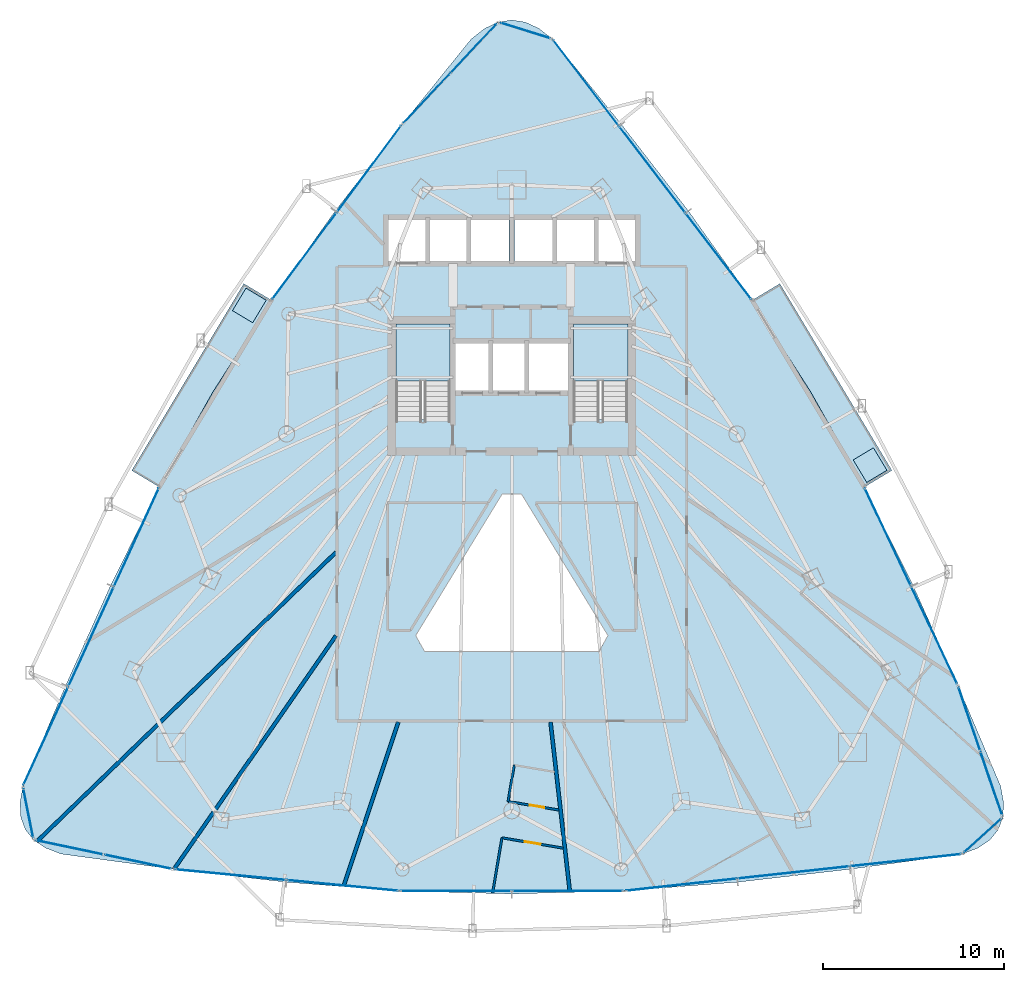
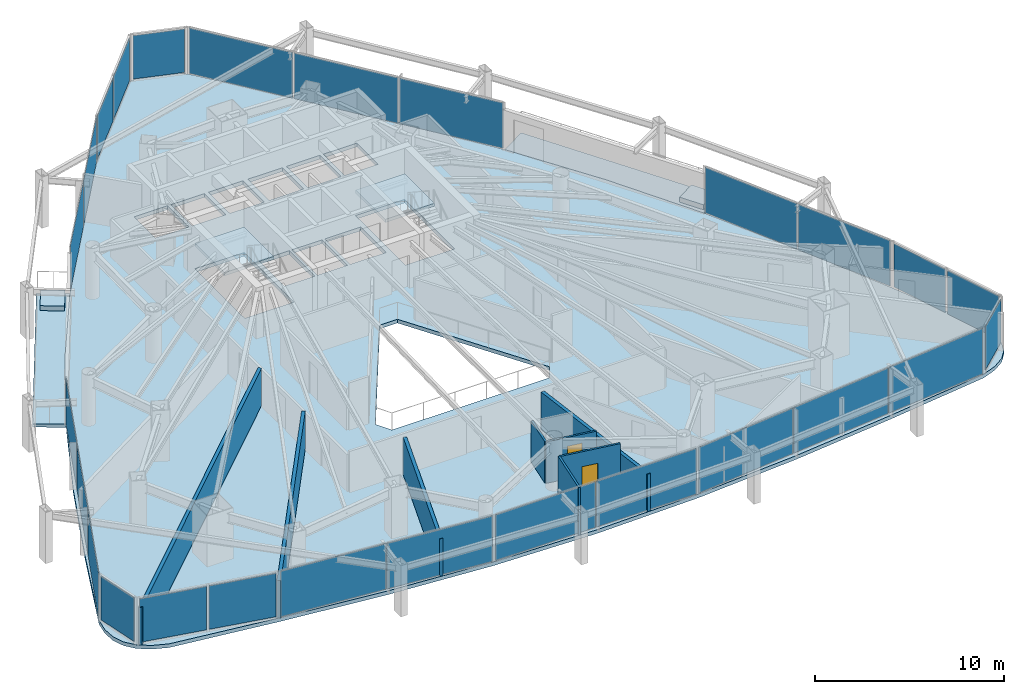
# One storey, part 27 of 33: 26 plates, 8 walls, 7 slabs, 2 doors, 2 openings, 15 elements without a shape of their own.
"""IFC4 building model written with IfcOpenShell, lengths in metres."""

from ifc_helpers import new_model, si_unit, direction, frame, frame_2d, origin, origin_2d, place, context, subcontext, project, spatial, polyline, rectangle, outline, extrude, material, layer, layer_set, type_object, element, fill, aggregate, save


model = new_model("IFC4")

# Units and contexts
model_context = context("Model", 3, precision=1e-05, world=origin(), true_north=direction((0.0, 1.0)))
body_context = subcontext(model_context, "Body", "Model", "MODEL_VIEW")
ifc_project = project(units=[si_unit("LENGTHUNIT", "METRE"), si_unit("AREAUNIT", "SQUARE_METRE"), si_unit("VOLUMEUNIT", "CUBIC_METRE"), si_unit("PLANEANGLEUNIT", "RADIAN"), si_unit("MASSUNIT", "GRAM", prefix="KILO")], contexts=[model_context])

# Site, building, storey
site_placement = place(None, origin())
site = spatial("IfcSite", under=ifc_project, at=site_placement, CompositionType="ELEMENT")
building_placement = place(site_placement, origin())
building = spatial("IfcBuilding", under=site, at=building_placement, Name="Orvanel Arch Residences", CompositionType="ELEMENT")
storey_placement = place(building_placement, frame((0.0, 0.0, 90.64990234375)))
storey = spatial("IfcBuildingStorey", under=building, at=storey_placement, Name="L25", CompositionType="ELEMENT", Elevation=90.64990234375)

# Curtain wall, plates
ifc_material_1 = material(Name="Bronze-anodised aluminium AA6063-T6", Category="aluminium")
ifc_layer_1 = layer(ifc_material_1, 0.179931640625)
ifc_layer_set_1 = layer_set([ifc_layer_1], Name="Bronze-anodised aluminium AA6063-T6")
curtain_wall_type_1 = type_object("IfcCurtainWallType", Name="CW2-LOW-SYS", PredefinedType="NOTDEFINED", material=ifc_layer_set_1)
curtain_wall_1_placement = place(storey_placement, origin())
curtain_wall_1 = element("IfcCurtainWall", 1, at=curtain_wall_1_placement, inside=storey, type_object=curtain_wall_type_1, Name="L25 CW2-LOW-SYS Unitised Curtain Wall", PredefinedType="NOTDEFINED")
ifc_material_2 = material(Name="Double-glazed solar-control low-E safety glass", Category="glass")
ifc_layer_2 = layer(ifc_material_2, 0.028076171875)
ifc_layer_set_2 = layer_set([ifc_layer_2], Name="Double-glazed solar-control low-E safety glass")
plate_type_1 = type_object("IfcPlateType", Name="PNL-GLZ-28", PredefinedType="CURTAIN_PANEL", material=ifc_layer_set_2)
plate_1_placement = place(storey_placement, frame((25.123291015625, 42.276123046875, 0.06005859375), z_axis=(0.0, 0.0, 1.0), x_axis=(-0.596527283959, -0.802592798057, 0.0)))
plate_1 = element("IfcPlate", 2, at=plate_1_placement, type_object=plate_type_1, Name="CW-S2 panel 1.1", PredefinedType="CURTAIN_PANEL", context=body_context, shape_type="SweptSolid", body=[
    extrude(rectangle(XDim=5.917236328125, YDim=0.028076171875, at=origin_2d()), origin(), (0.0, 0.0, 1.0), 2.93994140625),
])
plate_2_placement = place(storey_placement, frame((21.5517578125, 37.470703125, 0.06005859375), z_axis=(0.0, 0.0, 1.0), x_axis=(-0.596527283959, -0.802592798057, 0.0)))
plate_2 = element("IfcPlate", 3, at=plate_2_placement, type_object=plate_type_1, Name="CW-S2 panel 2.1", PredefinedType="CURTAIN_PANEL", context=body_context, shape_type="SweptSolid", body=[
    extrude(rectangle(XDim=5.917236328125, YDim=0.028076171875, at=origin_2d()), origin(), (0.0, 0.0, 1.0), 2.93994140625),
])
aggregate(curtain_wall_1, [plate_1, plate_2])

curtain_wall_2_placement = place(storey_placement, origin())
curtain_wall_2 = element("IfcCurtainWall", 4, at=curtain_wall_2_placement, inside=storey, type_object=curtain_wall_type_1, Name="L25 CW2-LOW-SYS Unitised Curtain Wall", PredefinedType="NOTDEFINED")
plate_3_placement = place(storey_placement, frame((12.27880859375, 21.931396484375, 0.06005859375), z_axis=(0.0, 0.0, 1.0), x_axis=(-0.414996360739, -0.909823071027, 0.0)))
plate_3 = element("IfcPlate", 5, at=plate_3_placement, type_object=plate_type_1, Name="CW-S2 panel 1.1", PredefinedType="CURTAIN_PANEL", context=body_context, shape_type="SweptSolid", body=[
    extrude(rectangle(XDim=5.932861328125, YDim=0.028076171875, at=origin_2d()), origin(), (0.0, 0.0, 1.0), 2.93994140625),
])
plate_4_placement = place(storey_placement, frame((9.780517578125, 16.4541015625, 0.06005859375), z_axis=(0.0, 0.0, 1.0), x_axis=(-0.414996360739, -0.909823071027, 0.0)))
plate_4 = element("IfcPlate", 6, at=plate_4_placement, type_object=plate_type_1, Name="CW-S2 panel 2.1", PredefinedType="CURTAIN_PANEL", context=body_context, shape_type="SweptSolid", body=[
    extrude(rectangle(XDim=5.9677734375, YDim=0.028076171875, at=origin_2d()), origin(), (0.0, 0.0, 1.0), 2.93994140625),
])
plate_5_placement = place(storey_placement, frame((7.281982421875, 10.9765625, 0.06005859375), z_axis=(0.0, 0.0, 1.0), x_axis=(-0.414996360739, -0.909823071027, 0.0)))
plate_5 = element("IfcPlate", 7, at=plate_5_placement, type_object=plate_type_1, Name="CW-S2 panel 3.1", PredefinedType="CURTAIN_PANEL", context=body_context, shape_type="SweptSolid", body=[
    extrude(rectangle(XDim=5.932861328125, YDim=0.028076171875, at=origin_2d()), origin(), (0.0, 0.0, 1.0), 2.93994140625),
])
aggregate(curtain_wall_2, [plate_3, plate_4, plate_5])

curtain_wall_3_placement = place(storey_placement, origin())
curtain_wall_3 = element("IfcCurtainWall", 8, at=curtain_wall_3_placement, inside=storey, type_object=curtain_wall_type_1, Name="L25 CW2-LOW-SYS Unitised Curtain Wall", PredefinedType="NOTDEFINED")
plate_6_placement = place(storey_placement, frame((17.484130859375, 3.31396484375, 0.06005859375), z_axis=(0.0, 0.0, 1.0), x_axis=(0.995430633272, -0.095487456477, 0.0)))
plate_6 = element("IfcPlate", 9, at=plate_6_placement, type_object=plate_type_1, Name="CW-S2 panel 1.1", PredefinedType="CURTAIN_PANEL", context=body_context, shape_type="SweptSolid", body=[
    extrude(rectangle(XDim=6.120849609375, YDim=0.028076171875, at=origin_2d()), origin(), (0.0, 0.0, 1.0), 2.93994140625),
])
plate_7_placement = place(storey_placement, frame((23.646728515625, 2.722900390625, 0.06005859375), z_axis=(0.0, 0.0, 1.0), x_axis=(0.995430633272, -0.095487456477, 0.0)))
plate_7 = element("IfcPlate", 10, at=plate_7_placement, type_object=plate_type_1, Name="CW-S2 panel 2.1", PredefinedType="CURTAIN_PANEL", context=body_context, shape_type="SweptSolid", body=[
    extrude(rectangle(XDim=6.120849609375, YDim=0.028076171875, at=origin_2d()), origin(), (0.0, 0.0, 1.0), 2.93994140625),
])
aggregate(curtain_wall_3, [plate_6, plate_7])

curtain_wall_4_placement = place(storey_placement, origin())
curtain_wall_4 = element("IfcCurtainWall", 11, at=curtain_wall_4_placement, inside=storey, type_object=curtain_wall_type_1, Name="L25 CW2-LOW-SYS Unitised Curtain Wall", PredefinedType="NOTDEFINED")
plate_8_placement = place(storey_placement, frame((29.9189453125, 2.422119140625, 0.06005859375), z_axis=(0.0, 0.0, 1.0), x_axis=(1.0, 0.0, 0.0)))
plate_8 = element("IfcPlate", 12, at=plate_8_placement, type_object=plate_type_1, Name="CW-S2 panel 1.1", PredefinedType="CURTAIN_PANEL", context=body_context, shape_type="SweptSolid", body=[
    extrude(rectangle(XDim=6.092041015625, YDim=0.028076171875, at=origin_2d()), origin(), (0.0, 0.0, 1.0), 2.93994140625),
])
plate_9_placement = place(storey_placement, frame((36.0810546875, 2.422119140625, 0.06005859375), z_axis=(0.0, 0.0, 1.0), x_axis=(1.0, 0.0, 0.0)))
plate_9 = element("IfcPlate", 13, at=plate_9_placement, type_object=plate_type_1, Name="CW-S2 panel 2.1", PredefinedType="CURTAIN_PANEL", context=body_context, shape_type="SweptSolid", body=[
    extrude(rectangle(XDim=6.092041015625, YDim=0.028076171875, at=origin_2d()), origin(), (0.0, 0.0, 1.0), 2.93994140625),
])
aggregate(curtain_wall_4, [plate_8, plate_9])

curtain_wall_5_placement = place(storey_placement, origin())
curtain_wall_5 = element("IfcCurtainWall", 14, at=curtain_wall_5_placement, inside=storey, type_object=curtain_wall_type_1, Name="L25 CW2-LOW-SYS Unitised Curtain Wall", PredefinedType="NOTDEFINED")
plate_10_placement = place(storey_placement, frame((42.3564453125, 2.7646484375, 0.06005859375), z_axis=(0.0, 0.0, 1.0), x_axis=(0.994092959946, 0.108531962964, 0.0)))
plate_10 = element("IfcPlate", 15, at=plate_10_placement, type_object=plate_type_1, Name="CW-S2 panel 1.1", PredefinedType="CURTAIN_PANEL", context=body_context, shape_type="SweptSolid", body=[
    extrude(rectangle(XDim=6.135986328125, YDim=0.028076171875, at=origin_2d()), origin(), (0.0, 0.0, 1.0), 2.93994140625),
])
plate_11_placement = place(storey_placement, frame((48.54296875, 3.43994140625, 0.06005859375), z_axis=(0.0, 0.0, 1.0), x_axis=(0.994092959946, 0.108531962964, 0.0)))
plate_11 = element("IfcPlate", 16, at=plate_11_placement, type_object=plate_type_1, Name="CW-S2 panel 2.1", PredefinedType="CURTAIN_PANEL", context=body_context, shape_type="SweptSolid", body=[
    extrude(rectangle(XDim=6.1708984375, YDim=0.028076171875, at=origin_2d()), origin(), (0.0, 0.0, 1.0), 2.93994140625),
])
plate_12_placement = place(storey_placement, frame((54.7294921875, 4.115478515625, 0.06005859375), z_axis=(0.0, 0.0, 1.0), x_axis=(0.994092959946, 0.108531962964, 0.0)))
plate_12 = element("IfcPlate", 17, at=plate_12_placement, type_object=plate_type_1, Name="CW-S2 panel 3.1", PredefinedType="CURTAIN_PANEL", context=body_context, shape_type="SweptSolid", body=[
    extrude(rectangle(XDim=6.135986328125, YDim=0.028076171875, at=origin_2d()), origin(), (0.0, 0.0, 1.0), 2.93994140625),
])
aggregate(curtain_wall_5, [plate_10, plate_11, plate_12])

curtain_wall_6_placement = place(storey_placement, origin())
curtain_wall_6 = element("IfcCurtainWall", 18, at=curtain_wall_6_placement, inside=storey, type_object=curtain_wall_type_1, Name="L25 CW2-LOW-SYS Unitised Curtain Wall", PredefinedType="NOTDEFINED")
plate_13_placement = place(storey_placement, frame((56.313232421875, 16.542236328125, 0.06005859375), z_axis=(0.0, 0.0, 1.0), x_axis=(-0.427176019527, 0.904168484488, 0.0)))
plate_13 = element("IfcPlate", 19, at=plate_13_placement, type_object=plate_type_1, Name="CW-S2 panel 1.1", PredefinedType="CURTAIN_PANEL", context=body_context, shape_type="SweptSolid", body=[
    extrude(rectangle(XDim=5.9169921875, YDim=0.028076171875, at=origin_2d()), origin(), (0.0, 0.0, 1.0), 2.93994140625),
])
plate_14_placement = place(storey_placement, frame((53.755615234375, 21.95556640625, 0.06005859375), z_axis=(0.0, 0.0, 1.0), x_axis=(-0.427176019527, 0.904168484488, 0.0)))
plate_14 = element("IfcPlate", 20, at=plate_14_placement, type_object=plate_type_1, Name="CW-S2 panel 2.1", PredefinedType="CURTAIN_PANEL", context=body_context, shape_type="SweptSolid", body=[
    extrude(rectangle(XDim=5.9169921875, YDim=0.028076171875, at=origin_2d()), origin(), (0.0, 0.0, 1.0), 2.93994140625),
])
aggregate(curtain_wall_6, [plate_13, plate_14])

curtain_wall_7_placement = place(storey_placement, origin())
curtain_wall_7 = element("IfcCurtainWall", 21, at=curtain_wall_7_placement, inside=storey, type_object=curtain_wall_type_1, Name="L25 CW2-LOW-SYS Unitised Curtain Wall", PredefinedType="NOTDEFINED")
plate_15_placement = place(storey_placement, frame((44.410888671875, 37.4521484375, 0.06005859375), z_axis=(0.0, 0.0, 1.0), x_axis=(-0.607341494318, 0.794440878404, 0.0)))
plate_15 = element("IfcPlate", 22, at=plate_15_placement, type_object=plate_type_1, Name="CW-S2 panel 1.1", PredefinedType="CURTAIN_PANEL", context=body_context, shape_type="SweptSolid", body=[
    extrude(rectangle(XDim=5.932861328125, YDim=0.028076171875, at=origin_2d()), origin(), (0.0, 0.0, 1.0), 2.93994140625),
])
plate_16_placement = place(storey_placement, frame((40.75439453125, 42.235107421875, 0.06005859375), z_axis=(0.0, 0.0, 1.0), x_axis=(-0.607341494318, 0.794440878404, 0.0)))
plate_16 = element("IfcPlate", 23, at=plate_16_placement, type_object=plate_type_1, Name="CW-S2 panel 2.1", PredefinedType="CURTAIN_PANEL", context=body_context, shape_type="SweptSolid", body=[
    extrude(rectangle(XDim=5.9677734375, YDim=0.028076171875, at=origin_2d()), origin(), (0.0, 0.0, 1.0), 2.93994140625),
])
plate_17_placement = place(storey_placement, frame((37.09814453125, 47.017822265625, 0.06005859375), z_axis=(0.0, 0.0, 1.0), x_axis=(-0.607341494318, 0.794440878404, 0.0)))
plate_17 = element("IfcPlate", 24, at=plate_17_placement, type_object=plate_type_1, Name="CW-S2 panel 3.1", PredefinedType="CURTAIN_PANEL", context=body_context, shape_type="SweptSolid", body=[
    extrude(rectangle(XDim=5.932861328125, YDim=0.028076171875, at=origin_2d()), origin(), (0.0, 0.0, 1.0), 2.93994140625),
])
aggregate(curtain_wall_7, [plate_15, plate_16, plate_17])

# Curtain wall, plate
ifc_layer_3 = layer(ifc_material_1, 0.18994140625)
ifc_layer_set_3 = layer_set([ifc_layer_3], Name="Bronze-anodised aluminium AA6063-T6")
curtain_wall_type_2 = type_object("IfcCurtainWallType", Name="CW5-CRN-SYS", PredefinedType="NOTDEFINED", material=ifc_layer_set_3)
curtain_wall_8_placement = place(storey_placement, origin())
curtain_wall_8 = element("IfcCurtainWall", 25, at=curtain_wall_8_placement, inside=storey, type_object=curtain_wall_type_2, Name="L25 CW5-CRN-SYS Unitised Curtain Wall", PredefinedType="NOTDEFINED")
ifc_layer_4 = layer(ifc_material_2, 0.031982421875)
ifc_layer_set_4 = layer_set([ifc_layer_4], Name="Double-glazed solar-control low-E safety glass")
plate_type_2 = type_object("IfcPlateType", Name="PNL-GLZ-32", PredefinedType="CURTAIN_PANEL", material=ifc_layer_set_4)
plate_18_placement = place(storey_placement, frame((33.7470703125, 49.910888671875, 0.1298828125), z_axis=(0.0, 0.0, 1.0), x_axis=(-0.954893471114, 0.296948579427, 0.0)))
plate_18 = element("IfcPlate", 26, at=plate_18_placement, type_object=plate_type_2, Name="CW-S5 panel 1.1", PredefinedType="CURTAIN_PANEL", context=body_context, shape_type="SweptSolid", body=[
    extrude(rectangle(XDim=2.79150390625, YDim=0.031982421875, at=origin_2d()), origin(), (0.0, 0.0, 1.0), 2.800048828125),
])
aggregate(curtain_wall_8, [plate_18])

# Curtain wall, plates
curtain_wall_9_placement = place(storey_placement, origin())
curtain_wall_9 = element("IfcCurtainWall", 27, at=curtain_wall_9_placement, inside=storey, type_object=curtain_wall_type_2, Name="L25 CW5-CRN-SYS Unitised Curtain Wall", PredefinedType="NOTDEFINED")
plate_19_placement = place(storey_placement, frame((30.891845703125, 48.927978515625, 0.1298828125), z_axis=(0.0, 0.0, 1.0), x_axis=(-0.684660855394, -0.72886179286, 0.0)))
plate_19 = element("IfcPlate", 28, at=plate_19_placement, type_object=plate_type_2, Name="CW-S5 panel 1.1", PredefinedType="CURTAIN_PANEL", context=body_context, shape_type="SweptSolid", body=[
    extrude(rectangle(XDim=3.63232421875, YDim=0.031982421875, at=origin_2d()), origin(), (0.0, 0.0, 1.0), 2.800048828125),
])
plate_20_placement = place(storey_placement, frame((28.30224609375, 46.171142578125, 0.1298828125), z_axis=(0.0, 0.0, 1.0), x_axis=(-0.684660855394, -0.72886179286, 0.0)))
plate_20 = element("IfcPlate", 29, at=plate_20_placement, type_object=plate_type_2, Name="CW-S5 panel 2.1", PredefinedType="CURTAIN_PANEL", context=body_context, shape_type="SweptSolid", body=[
    extrude(rectangle(XDim=3.63232421875, YDim=0.031982421875, at=origin_2d()), origin(), (0.0, 0.0, 1.0), 2.800048828125),
])
aggregate(curtain_wall_9, [plate_19, plate_20])

# Curtain wall, plate
curtain_wall_10_placement = place(storey_placement, origin())
curtain_wall_10 = element("IfcCurtainWall", 30, at=curtain_wall_10_placement, inside=storey, type_object=curtain_wall_type_2, Name="L25 CW5-CRN-SYS Unitised Curtain Wall", PredefinedType="NOTDEFINED")
plate_21_placement = place(storey_placement, frame((6.30908203125, 6.717529296875, 0.1298828125), z_axis=(0.0, 0.0, 1.0), x_axis=(0.195663548547, -0.980671084396, 0.0)))
plate_21 = element("IfcPlate", 31, at=plate_21_placement, type_object=plate_type_2, Name="CW-S5 panel 1.1", PredefinedType="CURTAIN_PANEL", context=body_context, shape_type="SweptSolid", body=[
    extrude(rectangle(XDim=2.674560546875, YDim=0.031982421875, at=origin_2d()), origin(), (0.0, 0.0, 1.0), 2.800048828125),
])
aggregate(curtain_wall_10, [plate_21])

# Curtain wall, plates
curtain_wall_11_placement = place(storey_placement, origin())
curtain_wall_11 = element("IfcCurtainWall", 32, at=curtain_wall_11_placement, inside=storey, type_object=curtain_wall_type_2, Name="L25 CW5-CRN-SYS Unitised Curtain Wall", PredefinedType="NOTDEFINED")
plate_22_placement = place(storey_placement, frame((8.586669921875, 4.8232421875, 0.1298828125), z_axis=(0.0, 0.0, 1.0), x_axis=(0.97870048514, -0.205293352027, 0.0)))
plate_22 = element("IfcPlate", 33, at=plate_22_placement, type_object=plate_type_2, Name="CW-S5 panel 1.1", PredefinedType="CURTAIN_PANEL", context=body_context, shape_type="SweptSolid", body=[
    extrude(rectangle(XDim=3.7109375, YDim=0.031982421875, at=origin_2d()), origin(), (0.0, 0.0, 1.0), 2.800048828125),
])
plate_23_placement = place(storey_placement, frame((12.365234375, 4.03076171875, 0.1298828125), z_axis=(0.0, 0.0, 1.0), x_axis=(0.97870048514, -0.205293352027, 0.0)))
plate_23 = element("IfcPlate", 34, at=plate_23_placement, type_object=plate_type_2, Name="CW-S5 panel 2.1", PredefinedType="CURTAIN_PANEL", context=body_context, shape_type="SweptSolid", body=[
    extrude(rectangle(XDim=3.7109375, YDim=0.031982421875, at=origin_2d()), origin(), (0.0, 0.0, 1.0), 2.800048828125),
])
aggregate(curtain_wall_11, [plate_22, plate_23])

# Curtain wall, plate
curtain_wall_12_placement = place(storey_placement, origin())
curtain_wall_12 = element("IfcCurtainWall", 35, at=curtain_wall_12_placement, inside=storey, type_object=curtain_wall_type_2, Name="L25 CW5-CRN-SYS Unitised Curtain Wall", PredefinedType="NOTDEFINED")
plate_24_placement = place(storey_placement, frame((58.985595703125, 5.471435546875, 0.1298828125), z_axis=(0.0, 0.0, 1.0), x_axis=(0.740228882087, 0.672354967353, 0.0)))
plate_24 = element("IfcPlate", 36, at=plate_24_placement, type_object=plate_type_2, Name="CW-S5 panel 1.1", PredefinedType="CURTAIN_PANEL", context=body_context, shape_type="SweptSolid", body=[
    extrude(rectangle(XDim=2.676025390625, YDim=0.031982421875, at=origin_2d()), origin(), (0.0, 0.0, 1.0), 2.800048828125),
])
aggregate(curtain_wall_12, [plate_24])

# Curtain wall, plates
curtain_wall_13_placement = place(storey_placement, origin())
curtain_wall_13 = element("IfcCurtainWall", 37, at=curtain_wall_13_placement, inside=storey, type_object=curtain_wall_type_2, Name="L25 CW5-CRN-SYS Unitised Curtain Wall", PredefinedType="NOTDEFINED")
plate_25_placement = place(storey_placement, frame((59.46533203125, 8.355224609375, 0.1298828125), z_axis=(0.0, 0.0, 1.0), x_axis=(-0.322437742651, 0.946590672949, 0.0)))
plate_25 = element("IfcPlate", 38, at=plate_25_placement, type_object=plate_type_2, Name="CW-S5 panel 1.1", PredefinedType="CURTAIN_PANEL", context=body_context, shape_type="SweptSolid", body=[
    extrude(rectangle(XDim=3.611328125, YDim=0.031982421875, at=origin_2d()), origin(), (0.0, 0.0, 1.0), 2.800048828125),
])
plate_26_placement = place(storey_placement, frame((58.252685546875, 11.915771484375, 0.1298828125), z_axis=(0.0, 0.0, 1.0), x_axis=(-0.322437742651, 0.946590672949, 0.0)))
plate_26 = element("IfcPlate", 39, at=plate_26_placement, type_object=plate_type_2, Name="CW-S5 panel 2.1", PredefinedType="CURTAIN_PANEL", context=body_context, shape_type="SweptSolid", body=[
    extrude(rectangle(XDim=3.611328125, YDim=0.031982421875, at=origin_2d()), origin(), (0.0, 0.0, 1.0), 2.800048828125),
])
aggregate(curtain_wall_13, [plate_25, plate_26])

# Slabs
ifc_material_3 = material(Name="Concrete N40 (40 MPa)", Category="concrete")
ifc_layer_5 = layer(ifc_material_3, 0.215087890625)
ifc_layer_set_5 = layer_set([ifc_layer_5], Name="Concrete N40 (40 MPa)")
slab_type_1 = type_object("IfcSlabType", Name="SLB-BAL-215", PredefinedType="FLOOR", material=ifc_layer_set_5)
slab_1_placement = place(storey_placement, frame((0.0, 0.0, -0.21484375)))
element("IfcSlab", 40, at=slab_1_placement, inside=storey, type_object=slab_type_1, Name="L25 Cantilevered Balcony Slab Face 3", PredefinedType="FLOOR", context=body_context, shape_type="SweptSolid", body=[
    extrude(outline(polyline([(53.97900390625, 25.6279296875), (47.79296875, 35.93994140625), (46.26708984375, 35.02392578125), (49.50390625, 29.9541015625), (52.452880859375, 24.7119140625), (53.97900390625, 25.6279296875)])), origin(), (0.0, 0.0, 1.0), 0.21484375),
])
slab_2_placement = place(storey_placement, frame((0.0, 0.0, -0.21484375)))
element("IfcSlab", 41, at=slab_2_placement, inside=storey, type_object=slab_type_1, Name="L25 Cantilevered Balcony Slab Face 1", PredefinedType="FLOOR", context=body_context, shape_type="SweptSolid", body=[
    extrude(outline(polyline([(18.20703125, 35.93994140625), (12.02099609375, 25.6279296875), (13.547119140625, 24.7119140625), (16.4970703125, 29.9541015625), (19.73291015625, 35.02392578125), (18.20703125, 35.93994140625)])), origin(), (0.0, 0.0, 1.0), 0.21484375),
])

# Stair, slab
ifc_material_4 = material(Name="Precast concrete N50 (50 MPa)", Category="concrete")
stair_type = type_object("IfcStairType", Name="STR-DOG-184", PredefinedType="USERDEFINED", material=ifc_material_4)
stair_1_placement = place(storey_placement, origin())
stair_1 = element("IfcStair", 42, at=stair_1_placement, inside=storey, type_object=stair_type, Name="L25 Fire-Isolated Core Exit Stair 1", ObjectType="TWO_RETURN_STAIR", PredefinedType="USERDEFINED")
ifc_layer_6 = layer(ifc_material_3, 0.199951171875)
ifc_layer_set_6 = layer_set([ifc_layer_6], Name="Concrete N40 (40 MPa)")
slab_type_2 = type_object("IfcSlabType", Name="SLB-LND-200", PredefinedType="LANDING", material=ifc_layer_set_6)
slab_3_placement = place(storey_placement, frame((0.0, 0.0, 1.4501953125)))
slab_3 = element("IfcSlab", 43, at=slab_3_placement, type_object=slab_type_2, Name="ST-1 landing 1", PredefinedType="LANDING", context=body_context, shape_type="SweptSolid", body=[
    extrude(outline(polyline([(29.60009765625, 30.56005859375), (29.60009765625, 33.699951171875), (26.60009765625, 33.699951171875), (26.60009765625, 30.56005859375), (29.60009765625, 30.56005859375)])), origin(), (0.0, 0.0, 1.0), 0.199951171875),
])
aggregate(stair_1, [slab_3])

stair_2_placement = place(storey_placement, origin())
stair_2 = element("IfcStair", 44, at=stair_2_placement, inside=storey, type_object=stair_type, Name="L25 Fire-Isolated Core Exit Stair 2", ObjectType="TWO_RETURN_STAIR", PredefinedType="USERDEFINED")
slab_4_placement = place(storey_placement, frame((0.0, 0.0, 1.4501953125)))
slab_4 = element("IfcSlab", 45, at=slab_4_placement, type_object=slab_type_2, Name="ST-2 landing 1", PredefinedType="LANDING", context=body_context, shape_type="SweptSolid", body=[
    extrude(outline(polyline([(39.39990234375, 30.56005859375), (39.39990234375, 33.699951171875), (36.39990234375, 33.699951171875), (36.39990234375, 30.56005859375), (39.39990234375, 30.56005859375)])), origin(), (0.0, 0.0, 1.0), 0.199951171875),
])
aggregate(stair_2, [slab_4])

# Slabs
ifc_material_5 = material(Name="Structural architectural precast concrete N40 (40 MPa) planter", Category="concrete")
ifc_layer_7 = layer(ifc_material_5, 0.320068359375)
ifc_layer_set_7 = layer_set([ifc_layer_7], Name="Structural architectural precast concrete N40 (40 MPa) planter")
slab_type_3 = type_object("IfcSlabType", Name="SLB-PLN-320", PredefinedType="USERDEFINED", material=ifc_layer_set_7)
slab_5_placement = place(storey_placement, origin())
element("IfcSlab", 46, at=slab_5_placement, inside=storey, type_object=slab_type_3, Name="L25 Balcony TREE PLANTER Face 3", ObjectType="PLANTER", PredefinedType="USERDEFINED", context=body_context, shape_type="SweptSolid", body=[
    extrude(outline(polyline([(53.705078125, 25.637939453125), (52.958984375, 26.881103515625), (51.843994140625, 26.212890625), (52.590087890625, 24.968994140625), (53.705078125, 25.637939453125)])), origin(), (0.0, 0.0, 1.0), 0.320068359375),
])
slab_6_placement = place(storey_placement, origin())
element("IfcSlab", 47, at=slab_6_placement, inside=storey, type_object=slab_type_3, Name="L25 Balcony TREE PLANTER Face 1", ObjectType="PLANTER", PredefinedType="USERDEFINED", context=body_context, shape_type="SweptSolid", body=[
    extrude(outline(polyline([(18.326904296875, 35.693115234375), (17.5810546875, 34.449951171875), (18.696044921875, 33.781005859375), (19.44189453125, 35.02392578125), (18.326904296875, 35.693115234375)])), origin(), (0.0, 0.0, 1.0), 0.320068359375),
])
ifc_layer_8 = layer(ifc_material_3, 0.239990234375)
ifc_layer_set_8 = layer_set([ifc_layer_8], Name="Concrete N40 (40 MPa)")
slab_type_4 = type_object("IfcSlabType", Name="SLB-TYP-240", PredefinedType="FLOOR", material=ifc_layer_set_8)
slab_7_placement = place(storey_placement, frame((0.0, 0.0, -0.239990234375)))
element("IfcSlab", 48, at=slab_7_placement, inside=storey, type_object=slab_type_4, Name="L25 Tower Floor Slab", PredefinedType="FLOOR", context=body_context, shape_type="SweptSolid", body=[
    extrude(outline(polyline([(35.241943359375, 49.446044921875), (34.4951171875, 50.028076171875), (33.748046875, 50.3759765625), (33.0, 50.492919921875), (32.251953125, 50.3759765625), (31.5048828125, 50.028076171875), (30.758056640625, 49.446044921875), (26.94189453125, 44.722900390625), (23.236083984375, 39.93505859375), (19.73291015625, 35.02392578125), (16.4970703125, 29.9541015625), (13.547119140625, 24.7119140625), (10.864013671875, 19.31005859375), (8.384033203125, 13.785888671875), (6.013916015625, 8.196044921875), (5.85400390625, 7.281982421875), (5.89794921875, 6.485107421875), (6.14794921875, 5.803955078125), (6.60400390625, 5.239013671875), (7.264892578125, 4.7900390625), (8.131103515625, 4.4580078125), (14.347900390625, 3.614990234375), (20.56591796875, 2.89990234375), (26.782958984375, 2.422119140625), (33.0, 2.2548828125), (39.217041015625, 2.422119140625), (45.43408203125, 2.89990234375), (51.652099609375, 3.614990234375), (57.868896484375, 4.4580078125), (58.735107421875, 4.7900390625), (59.39599609375, 5.239013671875), (59.85205078125, 5.803955078125), (60.10205078125, 6.485107421875), (60.14697265625, 7.281982421875), (59.986083984375, 8.196044921875), (57.615966796875, 13.785888671875), (55.135986328125, 19.31005859375), (52.452880859375, 24.7119140625), (49.50390625, 29.9541015625), (46.26708984375, 35.02392578125), (42.763916015625, 39.93505859375), (39.05810546875, 44.722900390625), (35.241943359375, 49.446044921875)]), holes=[polyline([(26.60009765625, 28.429931640625), (26.60009765625, 33.699951171875), (29.60009765625, 33.699951171875), (29.60009765625, 28.429931640625), (26.60009765625, 28.429931640625)]), polyline([(36.39990234375, 28.429931640625), (36.39990234375, 33.699951171875), (39.39990234375, 33.699951171875), (39.39990234375, 28.429931640625), (36.39990234375, 28.429931640625)]), polyline([(29.89990234375, 32.64990234375), (31.75, 32.64990234375), (31.75, 29.949951171875), (29.89990234375, 29.949951171875), (29.89990234375, 32.64990234375)]), polyline([(31.89990234375, 32.64990234375), (33.75, 32.64990234375), (33.75, 29.949951171875), (31.89990234375, 29.949951171875), (31.89990234375, 32.64990234375)]), polyline([(33.89990234375, 32.64990234375), (36.10009765625, 32.64990234375), (36.10009765625, 29.949951171875), (33.89990234375, 29.949951171875), (33.89990234375, 32.64990234375)]), polyline([(26.199951171875, 39.449951171875), (28.25, 39.449951171875), (28.25, 37.199951171875), (26.199951171875, 37.199951171875), (26.199951171875, 39.449951171875)]), polyline([(37.75, 39.449951171875), (39.800048828125, 39.449951171875), (39.800048828125, 37.199951171875), (37.75, 37.199951171875), (37.75, 39.449951171875)]), polyline([(28.449951171875, 39.449951171875), (30.5, 39.449951171875), (30.5, 37.199951171875), (28.449951171875, 37.199951171875), (28.449951171875, 39.449951171875)]), polyline([(35.5, 39.449951171875), (37.550048828125, 39.449951171875), (37.550048828125, 37.199951171875), (35.5, 37.199951171875), (35.5, 39.449951171875)]), polyline([(30.75, 39.449951171875), (32.85009765625, 39.449951171875), (32.85009765625, 37.199951171875), (30.75, 37.199951171875), (30.75, 39.449951171875)]), polyline([(33.14990234375, 39.449951171875), (35.25, 39.449951171875), (35.25, 37.199951171875), (33.14990234375, 37.199951171875), (33.14990234375, 39.449951171875)]), polyline([(38.30810546875, 16.51708984375), (37.81396484375, 15.636962890625), (28.18603515625, 15.636962890625), (27.69189453125, 16.51708984375), (32.4619140625, 24.320068359375), (33.5380859375, 24.320068359375), (38.30810546875, 16.51708984375)])]), origin(), (0.0, 0.0, 1.0), 0.239990234375),
])

# Walls
ifc_material_6 = material(Name="Fire-rated plasterboard lined steel stud partition", Category="steel")
ifc_layer_9 = layer(ifc_material_6, 0.199951171875)
ifc_layer_set_9 = layer_set([ifc_layer_9], Name="Fire-rated plasterboard lined steel stud partition")
wall_type_1 = type_object("IfcWallType", Name="W-DEM-200", PredefinedType="PARTITIONING", material=ifc_layer_set_9)
wall_1_placement = place(storey_placement, frame((23.2900390625, 21.110107421875, 0.0), z_axis=(0.0, 0.0, 1.0), x_axis=(-0.718846392138, -0.695168946739, 0.0)))
element("IfcWall", 49, at=wall_1_placement, inside=storey, type_object=wall_type_1, Name="L25 Inter-Tenancy Acoustic Demising Wall", PredefinedType="PARTITIONING", context=body_context, shape_type="SweptSolid", body=[
    extrude(rectangle(XDim=22.97314453125, YDim=0.199951171875, at=frame_2d((11.486572265625, 0.0))), origin(), (0.0, 0.0, 1.0), 2.4130859375),
])
wall_2_placement = place(storey_placement, frame((35.136962890625, 11.739990234375, 0.0), z_axis=(0.0, 0.0, 1.0), x_axis=(0.113194461651, -0.993572852815, 0.0)))
element("IfcWall", 50, at=wall_2_placement, inside=storey, type_object=wall_type_1, Name="L25 Inter-Tenancy Acoustic Demising Wall", PredefinedType="PARTITIONING", context=body_context, shape_type="SweptSolid", body=[
    extrude(rectangle(XDim=9.44482421875, YDim=0.199951171875, at=frame_2d((4.722412109375, 0.0))), origin(), (0.0, 0.0, 1.0), 2.4130859375),
])
wall_3_placement = place(storey_placement, frame((23.708984375, 2.673095703125, 0.0), z_axis=(0.0, 0.0, 1.0), x_axis=(0.316679801448, 0.948532499894, 0.0)))
element("IfcWall", 51, at=wall_3_placement, inside=storey, type_object=wall_type_1, Name="L25 Inter-Tenancy Acoustic Demising Wall", PredefinedType="PARTITIONING", context=body_context, shape_type="SweptSolid", body=[
    extrude(rectangle(XDim=9.558837890625, YDim=0.199951171875, at=frame_2d((4.779296875, 0.0))), origin(), (0.0, 0.0, 1.0), 2.4130859375),
])
wall_4_placement = place(storey_placement, frame((23.2900390625, 16.5029296875, 0.0), z_axis=(0.0, 0.0, 1.0), x_axis=(-0.57002789499, -0.821625339759, 0.0)))
element("IfcWall", 52, at=wall_4_placement, inside=storey, type_object=wall_type_1, Name="L25 Inter-Tenancy Acoustic Demising Wall", PredefinedType="PARTITIONING", context=body_context, shape_type="SweptSolid", body=[
    extrude(rectangle(XDim=15.67138671875, YDim=0.199951171875, at=frame_2d((7.835693359375, 0.0))), origin(), (0.0, 0.0, 1.0), 2.4130859375),
])
ifc_material_7 = material(Name="Acoustic plasterboard lined twin-stud partition", Category="gypsum")
ifc_layer_10 = layer(ifc_material_7, 0.1201171875)
ifc_layer_set_10 = layer_set([ifc_layer_10], Name="Acoustic plasterboard lined twin-stud partition")
wall_type_2 = type_object("IfcWallType", Name="W-WET-120", PredefinedType="PARTITIONING", material=ifc_layer_set_10)
wall_5_placement = place(storey_placement, frame((33.132080078125, 9.365966796875, 0.0), z_axis=(0.0, 0.0, 1.0), x_axis=(-0.166129895483, -0.986103877807, 0.0)))
element("IfcWall", 53, at=wall_5_placement, inside=storey, type_object=wall_type_2, Name="L25 Studio C Bathroom Partition", PredefinedType="PARTITIONING", context=body_context, shape_type="SweptSolid", body=[
    extrude(rectangle(XDim=2.035400390625, YDim=0.1201171875, at=frame_2d((1.017578125, 0.0))), origin(), (0.0, 0.0, 1.0), 2.669189453125),
])

# Wall, opening, door
wall_6_placement = place(storey_placement, frame((32.7939453125, 7.35888671875, 0.0), z_axis=(0.0, 0.0, 1.0), x_axis=(0.986086685245, -0.166231913849, 0.0)))
wall_6 = element("IfcWall", 54, at=wall_6_placement, inside=storey, type_object=wall_type_2, Name="L25 Studio C Bathroom Partition", PredefinedType="PARTITIONING", context=body_context, shape_type="SweptSolid", body=[
    extrude(rectangle(XDim=2.8505859375, YDim=0.1201171875, at=frame_2d((1.42529296875, 0.0))), origin(), (0.0, 0.0, 1.0), 2.669189453125),
])
opening_1_placement = place(wall_6_placement, frame((1.214111328125, 0.0, 0.0)))
opening_1 = element("IfcOpeningElement", 55, at=opening_1_placement, cuts=wall_6, Name="Opening DW-082", PredefinedType="OPENING", context=body_context, shape_type="SweptSolid", body=[
    extrude(rectangle(XDim=0.820068359375, YDim=2.10009765625, at=frame_2d((0.41015625, 1.050048828125))), frame((0.0, 0.070068359375, 0.0), z_axis=(0.0, -1.0, 0.0), x_axis=(1.0, 0.0, 0.0)), (0.0, 0.0, 1.0), 0.14013671875),
])
ifc_material_8 = material(Name="Solid-core European oak veneer fire door leaf", Category="wood")
door_type_1 = type_object("IfcDoorType", Name="DR-WET-820", OperationType="NOTDEFINED", PredefinedType="DOOR", material=ifc_material_8)
door_1_placement = place(opening_1_placement, origin())
door_1 = element("IfcDoor", 56, at=door_1_placement, inside=storey, type_object=door_type_1, Name="DR-L25-C-BATH L25 Studio C Bathroom Door", OperationType="SINGLE_SWING_RIGHT", OverallHeight=2.10009765625, OverallWidth=0.820068359375, PredefinedType="DOOR", context=body_context, shape_type="SweptSolid", body=[
    extrude(rectangle(XDim=0.820068359375, YDim=2.10009765625, at=frame_2d((0.41015625, 1.050048828125))), frame((0.0, 0.02490234375, 0.0), z_axis=(0.0, -1.0, 0.0), x_axis=(1.0, 0.0, 0.0)), (0.0, 0.0, 1.0), 0.050048828125),
])
fill(opening_1, door_1)

wall_7_placement = place(storey_placement, frame((35.843994140625, 4.781005859375, 0.0), z_axis=(0.0, 0.0, 1.0), x_axis=(-0.986098591399, 0.166161271182, 0.0)))
wall_7 = element("IfcWall", 57, at=wall_7_placement, inside=storey, type_object=wall_type_2, Name="L25 Studio C Internal Partition", PredefinedType="PARTITIONING", context=body_context, shape_type="SweptSolid", body=[
    extrude(rectangle(XDim=3.436767578125, YDim=0.1201171875, at=frame_2d((1.71826171875, 0.0))), origin(), (0.0, 0.0, 1.0), 3.06005859375),
])
opening_2_placement = place(wall_7_placement, frame((1.278076171875, 0.0, 0.0)))
opening_2 = element("IfcOpeningElement", 58, at=opening_2_placement, cuts=wall_7, Name="Opening DI-088", PredefinedType="OPENING", context=body_context, shape_type="SweptSolid", body=[
    extrude(rectangle(XDim=0.8798828125, YDim=2.10009765625, at=frame_2d((0.43994140625, 1.050048828125))), frame((0.0, 0.070068359375, 0.0), z_axis=(0.0, -1.0, 0.0), x_axis=(1.0, 0.0, 0.0)), (0.0, 0.0, 1.0), 0.14013671875),
])
door_type_2 = type_object("IfcDoorType", Name="DR-INT-880", OperationType="NOTDEFINED", PredefinedType="DOOR", material=ifc_material_8)
door_2_placement = place(opening_2_placement, origin())
door_2 = element("IfcDoor", 59, at=door_2_placement, inside=storey, type_object=door_type_2, Name="DR-L25-C-KIT L25 Studio C Kitchenette Door", OperationType="SINGLE_SWING_LEFT", OverallHeight=2.10009765625, OverallWidth=0.8798828125, PredefinedType="DOOR", context=body_context, shape_type="SweptSolid", body=[
    extrude(rectangle(XDim=0.8798828125, YDim=2.10009765625, at=frame_2d((0.43994140625, 1.050048828125))), frame((0.0, 0.02490234375, 0.0), z_axis=(0.0, -1.0, 0.0), x_axis=(1.0, 0.0, 0.0)), (0.0, 0.0, 1.0), 0.050048828125),
])
fill(opening_2, door_2)

# Wall
wall_8_placement = place(storey_placement, frame((32.455078125, 5.35205078125, 0.0), z_axis=(0.0, 0.0, 1.0), x_axis=(-0.166328914583, -0.986070328209, 0.0)))
element("IfcWall", 60, at=wall_8_placement, inside=storey, type_object=wall_type_2, Name="L25 Studio C Internal Partition", PredefinedType="PARTITIONING", context=body_context, shape_type="SweptSolid", body=[
    extrude(rectangle(XDim=3.09716796875, YDim=0.1201171875, at=frame_2d((1.548583984375, 0.0))), origin(), (0.0, 0.0, 1.0), 3.06005859375),
])

save(model, "model.ifc")
